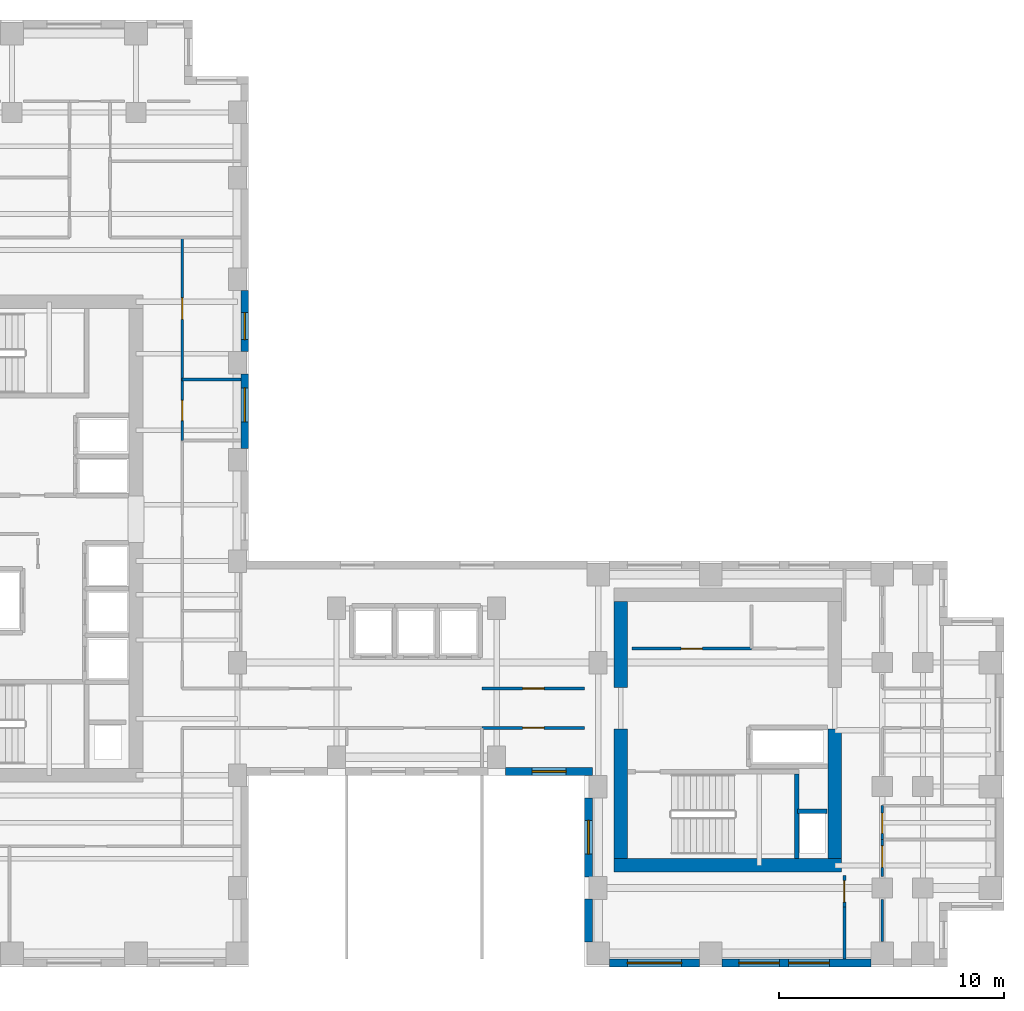
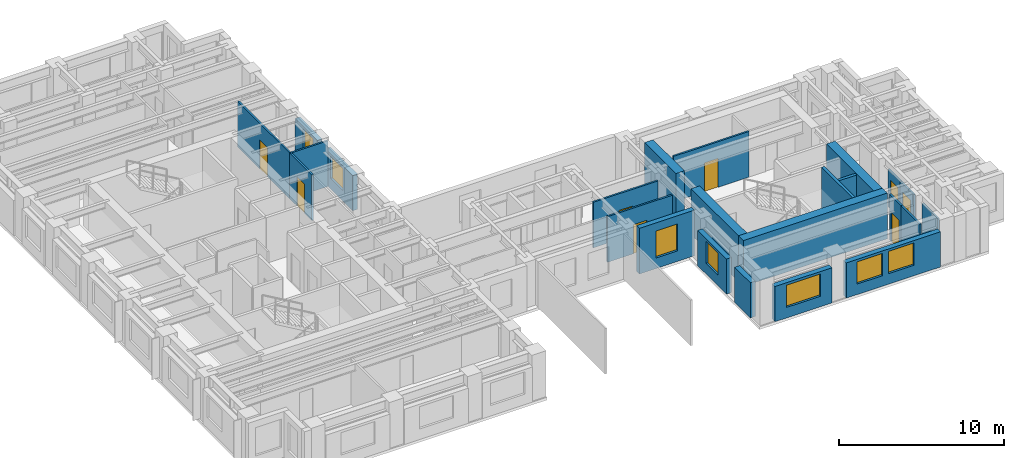
# One storey, part 6 of 11: 24 walls, 8 doors, 7 windows, 15 openings.
"""IFC4 building model written with IfcOpenShell, lengths in metres."""

from ifc_helpers import new_model, si_unit, direction, frame, frame_2d, origin, place, context, subcontext, project, spatial, rectangle, extrude, source, transform, mapped, material, layer, layer_set, type_object, element, fill, save


model = new_model("IFC4")

# Units and contexts
model_context = context("Model", 3, precision=1e-05, world=origin(), true_north=direction((0.0, 1.0)))
body_context = subcontext(model_context, "Body", "Model", "MODEL_VIEW")
ifc_project = project(units=[si_unit("LENGTHUNIT", "METRE"), si_unit("AREAUNIT", "SQUARE_METRE"), si_unit("VOLUMEUNIT", "CUBIC_METRE"), si_unit("PLANEANGLEUNIT", "RADIAN"), si_unit("MASSUNIT", "GRAM", prefix="KILO")], contexts=[model_context])

# Site, building, storey
site_placement = place(None, origin())
site = spatial("IfcSite", under=ifc_project, at=site_placement, CompositionType="ELEMENT")
building_placement = place(site_placement, origin())
building = spatial("IfcBuilding", under=site, at=building_placement, Name="Kharzan Plaza Tower", CompositionType="ELEMENT")
storey_placement = place(building_placement, frame((0.0, 0.0, 186.300048828125)))
storey = spatial("IfcBuildingStorey", under=building, at=storey_placement, Name="L50", CompositionType="ELEMENT", Elevation=186.300048828125)

# Wall, opening, window
ifc_material_1 = material(Name="Concrete C40/50", Category="concrete")
ifc_layer_1 = layer(ifc_material_1, 0.35009765625)
ifc_layer_set_1 = layer_set([ifc_layer_1], Name="Concrete C40/50")
wall_type_1 = type_object("IfcWallType", Name="WL-EXT-MAS-Z3", PredefinedType="SOLIDWALL", material=ifc_layer_set_1)
wall_1_placement = place(storey_placement, frame((30.89794921875, 8.675048828125, 0.0), z_axis=(0.0, 0.0, 1.0), x_axis=(1.0, 0.0, 0.0)))
wall_1 = element("IfcWall", 1, at=wall_1_placement, inside=storey, type_object=wall_type_1, Name="L50 Masonry-Frame Exterior Wall 28", PredefinedType="SOLIDWALL", context=body_context, shape_type="SweptSolid", body=[
    extrude(rectangle(XDim=3.85205078125, YDim=0.35009765625, at=frame_2d((1.926025390625, 0.0))), origin(), (0.0, 0.0, 1.0), 3.385009765625),
])
opening_1_placement = place(wall_1_placement, frame((1.176025390625, 0.0, 0.780029296875)))
opening_1 = element("IfcOpeningElement", 2, at=opening_1_placement, cuts=wall_1, Name="Opening W5", PredefinedType="OPENING", context=body_context, shape_type="SweptSolid", body=[
    extrude(rectangle(XDim=1.5, YDim=2.0, at=frame_2d((0.75, 1.0))), frame((0.0, 0.18505859375, 0.0), z_axis=(0.0, -1.0, 0.0), x_axis=(1.0, 0.0, 0.0)), (0.0, 0.0, 1.0), 0.3701171875),
])
ifc_material_2 = material(Name="Low-E Double Glazing", Category="glass")
window_type_1 = type_object("IfcWindowType", Name="WN-SLT-1500x2000", PartitioningType="SINGLE_PANEL", PredefinedType="WINDOW", material=ifc_material_2)
shared_shape_1 = source(origin(), body_context, "Body", "SweptSolid", [
    extrude(rectangle(XDim=1.5, YDim=2.0, at=frame_2d((0.75, 1.0))), frame((0.0, 0.030029296875, 0.0), z_axis=(0.0, -1.0, 0.0), x_axis=(1.0, 0.0, 0.0)), (0.0, 0.0, 1.0), 0.06005859375),
])
window_1_placement = place(opening_1_placement, origin())
window_1 = element("IfcWindow", 3, at=window_1_placement, inside=storey, type_object=window_type_1, Name="L50 Recessed Solar-Control Window 28-1", OverallHeight=2.0, OverallWidth=1.5, PartitioningType="SINGLE_PANEL", PredefinedType="WINDOW", context=body_context, shape_type="MappedRepresentation", body=[
    mapped(shared_shape_1, transform((0.0, 0.0, 0.0), x_axis=(1.0, 0.0, 0.0), y_axis=(0.0, 1.0, 0.0), z_axis=(0.0, 0.0, 1.0))),
])
fill(opening_1, window_1)

wall_2_placement = place(storey_placement, frame((34.574951171875, 7.501953125, 0.0), z_axis=(0.0, 0.0, 1.0), x_axis=(0.0, -1.0, 0.0)))
wall_2 = element("IfcWall", 4, at=wall_2_placement, inside=storey, type_object=wall_type_1, Name="L50 Masonry-Frame Exterior Wall 29", PredefinedType="SOLIDWALL", context=body_context, shape_type="SweptSolid", body=[
    extrude(rectangle(XDim=3.50390625, YDim=0.35009765625, at=frame_2d((1.751953125, 0.0))), origin(), (0.0, 0.0, 1.0), 2.612060546875),
])
opening_2_placement = place(wall_2_placement, frame((1.001953125, 0.0, 0.780029296875)))
opening_2 = element("IfcOpeningElement", 5, at=opening_2_placement, cuts=wall_2, Name="Opening W5", PredefinedType="OPENING", context=body_context, shape_type="SweptSolid", body=[
    extrude(rectangle(XDim=1.5, YDim=1.652099609375, at=frame_2d((0.75, 0.826171875))), frame((0.0, 0.18505859375, 0.0), z_axis=(0.0, -1.0, 0.0), x_axis=(1.0, 0.0, 0.0)), (0.0, 0.0, 1.0), 0.3701171875),
])
shared_shape_2 = source(origin(), body_context, "Body", "SweptSolid", [
    extrude(rectangle(XDim=1.5, YDim=1.652099609375, at=frame_2d((0.75, 0.826171875))), frame((0.0, 0.030029296875, 0.0), z_axis=(0.0, -1.0, 0.0), x_axis=(1.0, 0.0, 0.0)), (0.0, 0.0, 1.0), 0.06005859375),
])
window_2_placement = place(opening_2_placement, origin())
window_2 = element("IfcWindow", 6, at=window_2_placement, inside=storey, type_object=window_type_1, Name="L50 Recessed Solar-Control Window 29-1", OverallHeight=1.652099609375, OverallWidth=1.5, PartitioningType="SINGLE_PANEL", PredefinedType="WINDOW", context=body_context, shape_type="MappedRepresentation", body=[
    mapped(shared_shape_2, transform((0.0, 0.0, 0.0), x_axis=(1.0, 0.0, 0.0), y_axis=(0.0, 1.0, 0.0), z_axis=(0.0, 0.0, 1.0))),
])
fill(opening_2, window_2)

wall_3_placement = place(storey_placement, frame((35.498046875, 0.175048828125, 0.0), z_axis=(0.0, 0.0, 1.0), x_axis=(1.0, 0.0, 0.0)))
wall_3 = element("IfcWall", 7, at=wall_3_placement, inside=storey, type_object=wall_type_1, Name="L50 Masonry-Frame Exterior Wall 31", PredefinedType="SOLIDWALL", context=body_context, shape_type="SweptSolid", body=[
    extrude(rectangle(XDim=4.00390625, YDim=0.35009765625, at=frame_2d((2.001953125, 0.0))), origin(), (0.0, 0.0, 1.0), 2.612060546875),
])
opening_3_placement = place(wall_3_placement, frame((0.802001953125, 0.0, 0.780029296875)))
opening_3 = element("IfcOpeningElement", 8, at=opening_3_placement, cuts=wall_3, Name="Opening W2", PredefinedType="OPENING", context=body_context, shape_type="SweptSolid", body=[
    extrude(rectangle(XDim=2.39990234375, YDim=1.652099609375, at=frame_2d((1.199951171875, 0.826171875))), frame((0.0, 0.18505859375, 0.0), z_axis=(0.0, -1.0, 0.0), x_axis=(1.0, 0.0, 0.0)), (0.0, 0.0, 1.0), 0.3701171875),
])
window_type_2 = type_object("IfcWindowType", Name="WN-REC-2400x2100", PartitioningType="SINGLE_PANEL", PredefinedType="WINDOW", material=ifc_material_2)
shared_shape_3 = source(origin(), body_context, "Body", "SweptSolid", [
    extrude(rectangle(XDim=2.39990234375, YDim=1.652099609375, at=frame_2d((1.199951171875, 0.826171875))), frame((0.0, 0.030029296875, 0.0), z_axis=(0.0, -1.0, 0.0), x_axis=(1.0, 0.0, 0.0)), (0.0, 0.0, 1.0), 0.06005859375),
])
window_3_placement = place(opening_3_placement, origin())
window_3 = element("IfcWindow", 9, at=window_3_placement, inside=storey, type_object=window_type_2, Name="L50 Wide Recessed Solar-Control Window 31-1", OverallHeight=1.652099609375, OverallWidth=2.39990234375, PartitioningType="SINGLE_PANEL", PredefinedType="WINDOW", context=body_context, shape_type="MappedRepresentation", body=[
    mapped(shared_shape_3, transform((0.0, 0.0, 0.0), x_axis=(1.0, 0.0, 0.0), y_axis=(0.0, 1.0, 0.0), z_axis=(0.0, 0.0, 1.0))),
])
fill(opening_3, window_3)

# Wall, openings, windows
wall_4_placement = place(storey_placement, frame((40.498046875, 0.175048828125, 0.0), z_axis=(0.0, 0.0, 1.0), x_axis=(1.0, 0.0, 0.0)))
wall_4 = element("IfcWall", 10, at=wall_4_placement, inside=storey, type_object=wall_type_1, Name="L50 Masonry-Frame Exterior Wall 32", PredefinedType="SOLIDWALL", context=body_context, shape_type="SweptSolid", body=[
    extrude(rectangle(XDim=6.60400390625, YDim=0.35009765625, at=frame_2d((3.302001953125, 0.0))), origin(), (0.0, 0.0, 1.0), 2.612060546875),
])
opening_4_placement = place(wall_4_placement, frame((0.7373046875, 0.0, 0.780029296875)))
opening_4 = element("IfcOpeningElement", 11, at=opening_4_placement, cuts=wall_4, Name="Opening W1", PredefinedType="OPENING", context=body_context, shape_type="SweptSolid", body=[
    extrude(rectangle(XDim=1.800048828125, YDim=1.652099609375, at=frame_2d((0.89990234375, 0.826171875))), frame((0.0, 0.18505859375, 0.0), z_axis=(0.0, -1.0, 0.0), x_axis=(1.0, 0.0, 0.0)), (0.0, 0.0, 1.0), 0.3701171875),
])
opening_5_placement = place(wall_4_placement, frame((2.95458984375, 0.0, 0.780029296875)))
opening_5 = element("IfcOpeningElement", 12, at=opening_5_placement, cuts=wall_4, Name="Opening W1", PredefinedType="OPENING", context=body_context, shape_type="SweptSolid", body=[
    extrude(rectangle(XDim=1.800048828125, YDim=1.652099609375, at=frame_2d((0.89990234375, 0.826171875))), frame((0.0, 0.18505859375, 0.0), z_axis=(0.0, -1.0, 0.0), x_axis=(1.0, 0.0, 0.0)), (0.0, 0.0, 1.0), 0.3701171875),
])
window_type_3 = type_object("IfcWindowType", Name="WN-REC-1800x2100", PartitioningType="SINGLE_PANEL", PredefinedType="WINDOW", material=ifc_material_2)
shared_shape_4 = source(origin(), body_context, "Body", "SweptSolid", [
    extrude(rectangle(XDim=1.800048828125, YDim=1.652099609375, at=frame_2d((0.89990234375, 0.826171875))), frame((0.0, 0.030029296875, 0.0), z_axis=(0.0, -1.0, 0.0), x_axis=(1.0, 0.0, 0.0)), (0.0, 0.0, 1.0), 0.06005859375),
])
window_4_placement = place(opening_4_placement, origin())
window_4 = element("IfcWindow", 13, at=window_4_placement, inside=storey, type_object=window_type_3, Name="L50 Recessed Solar-Control Window 32-1", OverallHeight=1.652099609375, OverallWidth=1.800048828125, PartitioningType="SINGLE_PANEL", PredefinedType="WINDOW", context=body_context, shape_type="MappedRepresentation", body=[
    mapped(shared_shape_4, transform((0.0, 0.0, 0.0), x_axis=(1.0, 0.0, 0.0), y_axis=(0.0, 1.0, 0.0), z_axis=(0.0, 0.0, 1.0))),
])
fill(opening_4, window_4)
window_5_placement = place(opening_5_placement, origin())
window_5 = element("IfcWindow", 14, at=window_5_placement, inside=storey, type_object=window_type_3, Name="L50 Recessed Solar-Control Window 32-2", OverallHeight=1.652099609375, OverallWidth=1.800048828125, PartitioningType="SINGLE_PANEL", PredefinedType="WINDOW", context=body_context, shape_type="MappedRepresentation", body=[
    mapped(shared_shape_4, transform((0.0, 0.0, 0.0), x_axis=(1.0, 0.0, 0.0), y_axis=(0.0, 1.0, 0.0), z_axis=(0.0, 0.0, 1.0))),
])
fill(opening_5, window_5)

# Wall, opening, window
wall_5_placement = place(storey_placement, frame((19.324951171875, 22.998046875, 0.0), z_axis=(0.0, 0.0, 1.0), x_axis=(0.0, 1.0, 0.0)))
wall_5 = element("IfcWall", 15, at=wall_5_placement, inside=storey, type_object=wall_type_1, Name="L50 Masonry-Frame Exterior Wall 48", PredefinedType="SOLIDWALL", context=body_context, shape_type="SweptSolid", body=[
    extrude(rectangle(XDim=3.303955078125, YDim=0.35009765625, at=frame_2d((1.65185546875, 0.0))), origin(), (0.0, 0.0, 1.0), 2.612060546875),
])
opening_6_placement = place(wall_5_placement, frame((1.180419921875, 0.0, 0.780029296875)))
opening_6 = element("IfcOpeningElement", 16, at=opening_6_placement, cuts=wall_5, Name="Opening W5", PredefinedType="OPENING", context=body_context, shape_type="SweptSolid", body=[
    extrude(rectangle(XDim=1.5, YDim=1.652099609375, at=frame_2d((0.75, 0.826171875))), frame((0.0, 0.18505859375, 0.0), z_axis=(0.0, -1.0, 0.0), x_axis=(1.0, 0.0, 0.0)), (0.0, 0.0, 1.0), 0.3701171875),
])
window_6_placement = place(opening_6_placement, origin())
window_6 = element("IfcWindow", 17, at=window_6_placement, inside=storey, type_object=window_type_1, Name="L50 Recessed Solar-Control Window 48-1", OverallHeight=1.652099609375, OverallWidth=1.5, PartitioningType="SINGLE_PANEL", PredefinedType="WINDOW", context=body_context, shape_type="MappedRepresentation", body=[
    mapped(shared_shape_2, transform((0.0, 0.0, 0.0), x_axis=(1.0, 0.0, 0.0), y_axis=(0.0, 1.0, 0.0), z_axis=(0.0, 0.0, 1.0))),
])
fill(opening_6, window_6)

wall_6_placement = place(storey_placement, frame((19.324951171875, 27.298095703125, 0.0), z_axis=(0.0, 0.0, 1.0), x_axis=(0.0, 1.0, 0.0)))
wall_6 = element("IfcWall", 18, at=wall_6_placement, inside=storey, type_object=wall_type_1, Name="L50 Masonry-Frame Exterior Wall 49", PredefinedType="SOLIDWALL", context=body_context, shape_type="SweptSolid", body=[
    extrude(rectangle(XDim=2.703857421875, YDim=0.35009765625, at=frame_2d((1.35205078125, 0.0))), origin(), (0.0, 0.0, 1.0), 2.612060546875),
])
opening_7_placement = place(wall_6_placement, frame((0.523681640625, 0.0, 0.780029296875)))
opening_7 = element("IfcOpeningElement", 19, at=opening_7_placement, cuts=wall_6, Name="Opening W3", PredefinedType="OPENING", context=body_context, shape_type="SweptSolid", body=[
    extrude(rectangle(XDim=1.199951171875, YDim=1.652099609375, at=frame_2d((0.60009765625, 0.826171875))), frame((0.0, 0.18505859375, 0.0), z_axis=(0.0, -1.0, 0.0), x_axis=(1.0, 0.0, 0.0)), (0.0, 0.0, 1.0), 0.3701171875),
])
window_type_4 = type_object("IfcWindowType", Name="WN-REC-1200x2100", PartitioningType="SINGLE_PANEL", PredefinedType="WINDOW", material=ifc_material_2)
shared_shape_5 = source(origin(), body_context, "Body", "SweptSolid", [
    extrude(rectangle(XDim=1.199951171875, YDim=1.652099609375, at=frame_2d((0.60009765625, 0.826171875))), frame((0.0, 0.030029296875, 0.0), z_axis=(0.0, -1.0, 0.0), x_axis=(1.0, 0.0, 0.0)), (0.0, 0.0, 1.0), 0.06005859375),
])
window_7_placement = place(opening_7_placement, origin())
window_7 = element("IfcWindow", 20, at=window_7_placement, inside=storey, type_object=window_type_4, Name="L50 Recessed Solar-Control Window 49-1", OverallHeight=1.652099609375, OverallWidth=1.199951171875, PartitioningType="SINGLE_PANEL", PredefinedType="WINDOW", context=body_context, shape_type="MappedRepresentation", body=[
    mapped(shared_shape_5, transform((0.0, 0.0, 0.0), x_axis=(1.0, 0.0, 0.0), y_axis=(0.0, 1.0, 0.0), z_axis=(0.0, 0.0, 1.0))),
])
fill(opening_7, window_7)

# Wall, opening, door
ifc_material_3 = material(Name="Fire-Rated Gypsum Board Partition", Category="gypsum")
ifc_layer_2 = layer(ifc_material_3, 0.125)
ifc_layer_set_2 = layer_set([ifc_layer_2], Name="Fire-Rated Gypsum Board Partition")
wall_type_2 = type_object("IfcWallType", Name="WL-INT-PART-125", PredefinedType="PARTITIONING", material=ifc_layer_set_2)
wall_7_placement = place(storey_placement, frame((36.5, 14.1201171875, 0.0), z_axis=(0.0, 0.0, 1.0), x_axis=(1.0, 0.0, 0.0)))
wall_7 = element("IfcWall", 21, at=wall_7_placement, inside=storey, type_object=wall_type_2, Name="L50 Interior Partition CB-RBLSA", PredefinedType="PARTITIONING", context=body_context, shape_type="SweptSolid", body=[
    extrude(rectangle(XDim=5.300048828125, YDim=0.125, at=frame_2d((2.64990234375, 0.0))), origin(), (0.0, 0.0, 1.0), 3.385009765625),
])
opening_8_placement = place(wall_7_placement, frame((2.175048828125, 0.0, 0.0)))
opening_8 = element("IfcOpeningElement", 22, at=opening_8_placement, cuts=wall_7, Name="Opening OD1", PredefinedType="OPENING", context=body_context, shape_type="SweptSolid", body=[
    extrude(rectangle(XDim=0.949951171875, YDim=2.14990234375, at=frame_2d((0.47509765625, 1.074951171875))), frame((0.0, 0.072509765625, 0.0), z_axis=(0.0, -1.0, 0.0), x_axis=(1.0, 0.0, 0.0)), (0.0, 0.0, 1.0), 0.14501953125),
])
ifc_material_4 = material(Name="Acoustic Solid-Core Stained Oak", Category="timber")
door_type_1 = type_object("IfcDoorType", Name="DR-OFF-SINGLE", OperationType="NOTDEFINED", PredefinedType="DOOR", material=ifc_material_4)
shared_shape_6 = source(origin(), body_context, "Body", "SweptSolid", [
    extrude(rectangle(XDim=0.949951171875, YDim=2.14990234375, at=frame_2d((0.47509765625, 1.074951171875))), frame((0.0, 0.02490234375, 0.0), z_axis=(0.0, -1.0, 0.0), x_axis=(1.0, 0.0, 0.0)), (0.0, 0.0, 1.0), 0.050048828125),
])
door_1_placement = place(opening_8_placement, origin())
door_1 = element("IfcDoor", 23, at=door_1_placement, inside=storey, type_object=door_type_1, Name="L50 Records Room Door", OperationType="SINGLE_SWING_LEFT", OverallHeight=2.14990234375, OverallWidth=0.949951171875, PredefinedType="DOOR", context=body_context, shape_type="MappedRepresentation", body=[
    mapped(shared_shape_6, transform((0.0, 0.0, 0.0), x_axis=(1.0, 0.0, 0.0), y_axis=(0.0, 1.0, 0.0), z_axis=(0.0, 0.0, 1.0))),
])
fill(opening_8, door_1)

wall_8_placement = place(storey_placement, frame((16.550048828125, 26.050048828125, 0.0), z_axis=(0.0, 0.0, 1.0), x_axis=(0.0, 1.0, 0.0)))
wall_8 = element("IfcWall", 24, at=wall_8_placement, inside=storey, type_object=wall_type_2, Name="L50 Interior Partition SH-AEWN3", PredefinedType="PARTITIONING", context=body_context, shape_type="SweptSolid", body=[
    extrude(rectangle(XDim=6.300048828125, YDim=0.125, at=frame_2d((3.14990234375, 0.0))), origin(), (0.0, 0.0, 1.0), 3.385009765625),
])
opening_9_placement = place(wall_8_placement, frame((2.675048828125, 0.0, 0.0)))
opening_9 = element("IfcOpeningElement", 25, at=opening_9_placement, cuts=wall_8, Name="Opening OD1", PredefinedType="OPENING", context=body_context, shape_type="SweptSolid", body=[
    extrude(rectangle(XDim=0.949951171875, YDim=2.14990234375, at=frame_2d((0.47509765625, 1.074951171875))), frame((0.0, 0.072509765625, 0.0), z_axis=(0.0, -1.0, 0.0), x_axis=(1.0, 0.0, 0.0)), (0.0, 0.0, 1.0), 0.14501953125),
])
door_2_placement = place(opening_9_placement, origin())
door_2 = element("IfcDoor", 26, at=door_2_placement, inside=storey, type_object=door_type_1, Name="L50 Staff Tea Point Door", OperationType="SINGLE_SWING_RIGHT", OverallHeight=2.14990234375, OverallWidth=0.949951171875, PredefinedType="DOOR", context=body_context, shape_type="MappedRepresentation", body=[
    mapped(shared_shape_6, transform((0.0, 0.0, 0.0), x_axis=(1.0, 0.0, 0.0), y_axis=(0.0, 1.0, 0.0), z_axis=(0.0, 0.0, 1.0))),
])
fill(opening_9, door_2)

wall_9_placement = place(storey_placement, frame((16.550048828125, 23.35009765625, 0.0), z_axis=(0.0, 0.0, 1.0), x_axis=(0.0, 1.0, 0.0)))
wall_9 = element("IfcWall", 27, at=wall_9_placement, inside=storey, type_object=wall_type_2, Name="L50 Interior Partition SH-AEWW", PredefinedType="PARTITIONING", context=body_context, shape_type="SweptSolid", body=[
    extrude(rectangle(XDim=2.699951171875, YDim=0.125, at=frame_2d((1.35009765625, 0.0))), origin(), (0.0, 0.0, 1.0), 3.385009765625),
])
opening_10_placement = place(wall_9_placement, frame((0.875, 0.0, 0.0)))
opening_10 = element("IfcOpeningElement", 28, at=opening_10_placement, cuts=wall_9, Name="Opening WD1", PredefinedType="OPENING", context=body_context, shape_type="SweptSolid", body=[
    extrude(rectangle(XDim=0.89990234375, YDim=2.14990234375, at=frame_2d((0.449951171875, 1.074951171875))), frame((0.0, 0.072509765625, 0.0), z_axis=(0.0, -1.0, 0.0), x_axis=(1.0, 0.0, 0.0)), (0.0, 0.0, 1.0), 0.14501953125),
])
ifc_material_5 = material(Name="Moisture-Resistant Fire-Rated Laminate", Category="timber")
door_type_2 = type_object("IfcDoorType", Name="DR-WC-900", OperationType="NOTDEFINED", PredefinedType="DOOR", material=ifc_material_5)
shared_shape_7 = source(origin(), body_context, "Body", "SweptSolid", [
    extrude(rectangle(XDim=0.89990234375, YDim=2.14990234375, at=frame_2d((0.449951171875, 1.074951171875))), frame((0.0, 0.02490234375, 0.0), z_axis=(0.0, -1.0, 0.0), x_axis=(1.0, 0.0, 0.0)), (0.0, 0.0, 1.0), 0.050048828125),
])
door_3_placement = place(opening_10_placement, origin())
door_3 = element("IfcDoor", 29, at=door_3_placement, inside=storey, type_object=door_type_2, Name="L50 Wing A Washroom Door", OperationType="SINGLE_SWING_LEFT", OverallHeight=2.14990234375, OverallWidth=0.89990234375, PredefinedType="DOOR", context=body_context, shape_type="MappedRepresentation", body=[
    mapped(shared_shape_7, transform((0.0, 0.0, 0.0), x_axis=(1.0, 0.0, 0.0), y_axis=(0.0, 1.0, 0.0), z_axis=(0.0, 0.0, 1.0))),
])
fill(opening_10, door_3)

wall_10_placement = place(storey_placement, frame((47.60009765625, 4.02001953125, 0.0), z_axis=(0.0, 0.0, 1.0), x_axis=(0.0, 1.0, 0.0)))
wall_10 = element("IfcWall", 30, at=wall_10_placement, inside=storey, type_object=wall_type_2, Name="L50 Interior Partition SH-B2W0", PredefinedType="PARTITIONING", context=body_context, shape_type="SweptSolid", body=[
    extrude(rectangle(XDim=1.6298828125, YDim=0.125, at=frame_2d((0.81494140625, 0.0))), origin(), (0.0, 0.0, 1.0), 2.77294921875),
])
opening_11_placement = place(wall_10_placement, frame((0.393310546875, 0.0, 0.0)))
opening_11 = element("IfcOpeningElement", 31, at=opening_11_placement, cuts=wall_10, Name="Opening OD1", PredefinedType="OPENING", context=body_context, shape_type="SweptSolid", body=[
    extrude(rectangle(XDim=0.949951171875, YDim=2.14990234375, at=frame_2d((0.47509765625, 1.074951171875))), frame((0.0, 0.072509765625, 0.0), z_axis=(0.0, -1.0, 0.0), x_axis=(1.0, 0.0, 0.0)), (0.0, 0.0, 1.0), 0.14501953125),
])
door_4_placement = place(opening_11_placement, origin())
door_4 = element("IfcDoor", 32, at=door_4_placement, inside=storey, type_object=door_type_1, Name="L50 Wing B South Office Door", OperationType="SINGLE_SWING_RIGHT", OverallHeight=2.14990234375, OverallWidth=0.949951171875, PredefinedType="DOOR", context=body_context, shape_type="MappedRepresentation", body=[
    mapped(shared_shape_6, transform((0.0, 0.0, 0.0), x_axis=(1.0, 0.0, 0.0), y_axis=(0.0, 1.0, 0.0), z_axis=(0.0, 0.0, 1.0))),
])
fill(opening_11, door_4)

wall_11_placement = place(storey_placement, frame((47.60009765625, 5.64990234375, 0.0), z_axis=(0.0, 0.0, 1.0), x_axis=(0.0, 1.0, 0.0)))
wall_11 = element("IfcWall", 33, at=wall_11_placement, inside=storey, type_object=wall_type_2, Name="L50 Interior Partition SH-B2WC", PredefinedType="PARTITIONING", context=body_context, shape_type="SweptSolid", body=[
    extrude(rectangle(XDim=1.5, YDim=0.125, at=frame_2d((0.75, 0.0))), origin(), (0.0, 0.0, 1.0), 2.77294921875),
])
opening_12_placement = place(wall_11_placement, frame((0.27490234375, 0.0, 0.0)))
opening_12 = element("IfcOpeningElement", 34, at=opening_12_placement, cuts=wall_11, Name="Opening WD1", PredefinedType="OPENING", context=body_context, shape_type="SweptSolid", body=[
    extrude(rectangle(XDim=0.89990234375, YDim=2.14990234375, at=frame_2d((0.449951171875, 1.074951171875))), frame((0.0, 0.072509765625, 0.0), z_axis=(0.0, -1.0, 0.0), x_axis=(1.0, 0.0, 0.0)), (0.0, 0.0, 1.0), 0.14501953125),
])
door_5_placement = place(opening_12_placement, origin())
door_5 = element("IfcDoor", 35, at=door_5_placement, inside=storey, type_object=door_type_2, Name="L50 Wing B Washroom Door", OperationType="SINGLE_SWING_LEFT", OverallHeight=2.14990234375, OverallWidth=0.89990234375, PredefinedType="DOOR", context=body_context, shape_type="MappedRepresentation", body=[
    mapped(shared_shape_7, transform((0.0, 0.0, 0.0), x_axis=(1.0, 0.0, 0.0), y_axis=(0.0, 1.0, 0.0), z_axis=(0.0, 0.0, 1.0))),
])
fill(opening_12, door_5)

wall_12_placement = place(storey_placement, frame((45.919921875, 2.64990234375, 0.0), z_axis=(0.0, 0.0, 1.0), x_axis=(0.0, 1.0, 0.0)))
wall_12 = element("IfcWall", 36, at=wall_12_placement, inside=storey, type_object=wall_type_2, Name="L50 Interior Partition SH-RBSE", PredefinedType="PARTITIONING", context=body_context, shape_type="SweptSolid", body=[
    extrude(rectangle(XDim=1.400146484375, YDim=0.125, at=frame_2d((0.7001953125, 0.0))), origin(), (0.0, 0.0, 1.0), 3.385009765625),
])
opening_13_placement = place(wall_12_placement, frame((0.22509765625, 0.0, 0.0)))
opening_13 = element("IfcOpeningElement", 37, at=opening_13_placement, cuts=wall_12, Name="Opening OD1", PredefinedType="OPENING", context=body_context, shape_type="SweptSolid", body=[
    extrude(rectangle(XDim=0.949951171875, YDim=2.14990234375, at=frame_2d((0.47509765625, 1.074951171875))), frame((0.0, 0.072509765625, 0.0), z_axis=(0.0, -1.0, 0.0), x_axis=(1.0, 0.0, 0.0)), (0.0, 0.0, 1.0), 0.14501953125),
])
door_6_placement = place(opening_13_placement, origin())
door_6 = element("IfcDoor", 38, at=door_6_placement, inside=storey, type_object=door_type_1, Name="L50 South-East Corner Office Door", OperationType="SINGLE_SWING_RIGHT", OverallHeight=2.14990234375, OverallWidth=0.949951171875, PredefinedType="DOOR", context=body_context, shape_type="MappedRepresentation", body=[
    mapped(shared_shape_6, transform((0.0, 0.0, 0.0), x_axis=(1.0, 0.0, 0.0), y_axis=(0.0, 1.0, 0.0), z_axis=(0.0, 0.0, 1.0))),
])
fill(opening_13, door_6)

wall_13_placement = place(storey_placement, frame((29.85009765625, 12.35009765625, 0.0), z_axis=(0.0, 0.0, 1.0), x_axis=(1.0, 0.0, 0.0)))
wall_13 = element("IfcWall", 39, at=wall_13_placement, inside=storey, type_object=wall_type_2, Name="L50 Interior Partition SH-SPNE1", PredefinedType="PARTITIONING", context=body_context, shape_type="SweptSolid", body=[
    extrude(rectangle(XDim=4.5498046875, YDim=0.125, at=frame_2d((2.27490234375, 0.0))), origin(), (0.0, 0.0, 1.0), 3.385009765625),
])
opening_14_placement = place(wall_13_placement, frame((1.800048828125, 0.0, 0.0)))
opening_14 = element("IfcOpeningElement", 40, at=opening_14_placement, cuts=wall_13, Name="Opening OD1", PredefinedType="OPENING", context=body_context, shape_type="SweptSolid", body=[
    extrude(rectangle(XDim=0.949951171875, YDim=2.14990234375, at=frame_2d((0.47509765625, 1.074951171875))), frame((0.0, 0.072509765625, 0.0), z_axis=(0.0, -1.0, 0.0), x_axis=(1.0, 0.0, 0.0)), (0.0, 0.0, 1.0), 0.14501953125),
])
door_7_placement = place(opening_14_placement, origin())
door_7 = element("IfcDoor", 41, at=door_7_placement, inside=storey, type_object=door_type_1, Name="L50 North-East Spine Door", OperationType="SINGLE_SWING_LEFT", OverallHeight=2.14990234375, OverallWidth=0.949951171875, PredefinedType="DOOR", context=body_context, shape_type="MappedRepresentation", body=[
    mapped(shared_shape_6, transform((0.0, 0.0, 0.0), x_axis=(1.0, 0.0, 0.0), y_axis=(0.0, 1.0, 0.0), z_axis=(0.0, 0.0, 1.0))),
])
fill(opening_14, door_7)

wall_14_placement = place(storey_placement, frame((29.85009765625, 10.60009765625, 0.0), z_axis=(0.0, 0.0, 1.0), x_axis=(1.0, 0.0, 0.0)))
wall_14 = element("IfcWall", 42, at=wall_14_placement, inside=storey, type_object=wall_type_2, Name="L50 Interior Partition SH-SPS3", PredefinedType="PARTITIONING", context=body_context, shape_type="SweptSolid", body=[
    extrude(rectangle(XDim=4.5498046875, YDim=0.125, at=frame_2d((2.27490234375, 0.0))), origin(), (0.0, 0.0, 1.0), 3.385009765625),
])
opening_15_placement = place(wall_14_placement, frame((1.800048828125, 0.0, 0.0)))
opening_15 = element("IfcOpeningElement", 43, at=opening_15_placement, cuts=wall_14, Name="Opening OD1", PredefinedType="OPENING", context=body_context, shape_type="SweptSolid", body=[
    extrude(rectangle(XDim=0.949951171875, YDim=2.14990234375, at=frame_2d((0.47509765625, 1.074951171875))), frame((0.0, 0.072509765625, 0.0), z_axis=(0.0, -1.0, 0.0), x_axis=(1.0, 0.0, 0.0)), (0.0, 0.0, 1.0), 0.14501953125),
])
door_8_placement = place(opening_15_placement, origin())
door_8 = element("IfcDoor", 44, at=door_8_placement, inside=storey, type_object=door_type_1, Name="L50 Spine Studio 3 Door", OperationType="SINGLE_SWING_LEFT", OverallHeight=2.14990234375, OverallWidth=0.949951171875, PredefinedType="DOOR", context=body_context, shape_type="MappedRepresentation", body=[
    mapped(shared_shape_6, transform((0.0, 0.0, 0.0), x_axis=(1.0, 0.0, 0.0), y_axis=(0.0, 1.0, 0.0), z_axis=(0.0, 0.0, 1.0))),
])
fill(opening_15, door_8)

# Walls
ifc_material_6 = material(Name="Concrete C50/60", Category="concrete")
ifc_layer_3 = layer(ifc_material_6, 0.60009765625)
ifc_layer_set_3 = layer_set([ifc_layer_3], Name="Concrete C50/60")
wall_type_3 = type_object("IfcWallType", Name="WL-CORE-600", PredefinedType="SHEAR", material=ifc_layer_set_3)
shared_shape_8 = source(origin(), body_context, "Body", "SweptSolid", [
    extrude(rectangle(XDim=5.75, YDim=0.60009765625, at=frame_2d((2.875, 0.0))), origin(), (0.0, 0.0, 1.0), 3.39990234375),
])
for number, where, z_axis, x_axis, name in (
    (45, (45.5, 4.800048828125, 0.0), (0.0, 0.0, 1.0), (0.0, 1.0, 0.0), "L50 CORE-B east shear pier 1"),
    (46, (36.0, 4.800048828125, 0.0), (0.0, 0.0, 1.0), (0.0, 1.0, 0.0), "L50 CORE-B west shear pier 1"),
):
    element("IfcWall", number, at=place(storey_placement, frame(where, z_axis=z_axis, x_axis=x_axis)), inside=storey, type_object=wall_type_3, Name=name, PredefinedType="SHEAR", context=body_context, shape_type="MappedRepresentation", body=[
        mapped(shared_shape_8, transform((0.0, 0.0, 0.0), x_axis=(1.0, 0.0, 0.0), y_axis=(0.0, 1.0, 0.0), z_axis=(0.0, 0.0, 1.0))),
    ])
shared_shape_9 = source(origin(), body_context, "Body", "SweptSolid", [
    extrude(rectangle(XDim=3.800048828125, YDim=0.60009765625, at=frame_2d((1.89990234375, 0.0))), origin(), (0.0, 0.0, 1.0), 3.39990234375),
])
wall_15_placement = place(storey_placement, frame((36.0, 12.39990234375, 0.0), z_axis=(0.0, 0.0, 1.0), x_axis=(0.0, 1.0, 0.0)))
element("IfcWall", 47, at=wall_15_placement, inside=storey, type_object=wall_type_3, Name="L50 CORE-B west shear pier 2", PredefinedType="SHEAR", context=body_context, shape_type="MappedRepresentation", body=[
    mapped(shared_shape_9, transform((0.0, 0.0, 0.0), x_axis=(1.0, 0.0, 0.0), y_axis=(0.0, 1.0, 0.0), z_axis=(0.0, 0.0, 1.0))),
])
shared_shape_10 = source(origin(), body_context, "Body", "SweptSolid", [
    extrude(rectangle(XDim=10.10009765625, YDim=0.60009765625, at=frame_2d((5.050048828125, 0.0))), origin(), (0.0, 0.0, 1.0), 3.39990234375),
])
wall_16_placement = place(storey_placement, frame((35.699951171875, 4.5, 0.0), z_axis=(0.0, 0.0, 1.0), x_axis=(1.0, 0.0, 0.0)))
element("IfcWall", 48, at=wall_16_placement, inside=storey, type_object=wall_type_3, Name="L50 CORE-B south RC shear wall", PredefinedType="SHEAR", context=body_context, shape_type="MappedRepresentation", body=[
    mapped(shared_shape_10, transform((0.0, 0.0, 0.0), x_axis=(1.0, 0.0, 0.0), y_axis=(0.0, 1.0, 0.0), z_axis=(0.0, 0.0, 1.0))),
])
shared_shape_11 = source(origin(), body_context, "Body", "SweptSolid", [
    extrude(rectangle(XDim=2.2978515625, YDim=0.125, at=frame_2d((1.14892578125, 0.0))), origin(), (0.0, 0.0, 1.0), 3.385009765625),
])
wall_17_placement = place(storey_placement, frame((45.919921875, 0.35205078125, 0.0), z_axis=(0.0, 0.0, 1.0), x_axis=(0.0, 1.0, 0.0)))
element("IfcWall", 49, at=wall_17_placement, inside=storey, type_object=wall_type_2, Name="L50 Interior Partition SH-RBSE0", PredefinedType="PARTITIONING", context=body_context, shape_type="MappedRepresentation", body=[
    mapped(shared_shape_11, transform((0.0, 0.0, 0.0), x_axis=(1.0, 0.0, 0.0), y_axis=(0.0, 1.0, 0.0), z_axis=(0.0, 0.0, 1.0))),
])
ifc_layer_4 = layer(ifc_material_1, 0.199951171875)
ifc_layer_set_4 = layer_set([ifc_layer_4], Name="Concrete C40/50")
wall_type_4 = type_object("IfcWallType", Name="WL-INT-SHAFT-200", PredefinedType="PARTITIONING", material=ifc_layer_set_4)
shared_shape_12 = source(origin(), body_context, "Body", "SweptSolid", [
    extrude(rectangle(XDim=1.2998046875, YDim=0.199951171875, at=frame_2d((0.64990234375, 0.0))), origin(), (0.0, 0.0, 1.0), 3.385009765625),
])
wall_18_placement = place(storey_placement, frame((43.85009765625, 6.89990234375, 0.0), z_axis=(0.0, 0.0, 1.0), x_axis=(1.0, 0.0, 0.0)))
element("IfcWall", 50, at=wall_18_placement, inside=storey, type_object=wall_type_4, Name="L50 Interior Partition CB-RSRB-N", PredefinedType="PARTITIONING", context=body_context, shape_type="MappedRepresentation", body=[
    mapped(shared_shape_12, transform((0.0, 0.0, 0.0), x_axis=(1.0, 0.0, 0.0), y_axis=(0.0, 1.0, 0.0), z_axis=(0.0, 0.0, 1.0))),
])
ifc_layer_5 = layer(ifc_material_6, 0.199951171875)
ifc_layer_set_5 = layer_set([ifc_layer_5], Name="Concrete C50/60")
wall_type_5 = type_object("IfcWallType", Name="WL-SHAFT-RC200", PredefinedType="SHEAR", material=ifc_layer_set_5)
shared_shape_13 = source(origin(), body_context, "Body", "SweptSolid", [
    extrude(rectangle(XDim=3.7529296875, YDim=0.199951171875, at=frame_2d((1.87646484375, 0.0))), origin(), (0.0, 0.0, 1.0), 3.39990234375),
])
wall_19_placement = place(storey_placement, frame((43.804931640625, 4.802001953125, 0.0), z_axis=(0.0, 0.0, 1.0), x_axis=(0.0, 1.0, 0.0)))
element("IfcWall", 51, at=wall_19_placement, inside=storey, type_object=wall_type_5, Name="L50 Stair ST-3 East RC Shaft Wall", PredefinedType="SHEAR", context=body_context, shape_type="MappedRepresentation", body=[
    mapped(shared_shape_13, transform((0.0, 0.0, 0.0), x_axis=(1.0, 0.0, 0.0), y_axis=(0.0, 1.0, 0.0), z_axis=(0.0, 0.0, 1.0))),
])
shared_shape_14 = source(origin(), body_context, "Body", "SweptSolid", [
    extrude(rectangle(XDim=1.904052734375, YDim=0.35009765625, at=frame_2d((0.9521484375, 0.0))), origin(), (0.0, 0.0, 1.0), 2.612060546875),
])
wall_20_placement = place(storey_placement, frame((34.574951171875, 3.001953125, 0.0), z_axis=(0.0, 0.0, 1.0), x_axis=(0.0, -1.0, 0.0)))
element("IfcWall", 52, at=wall_20_placement, inside=storey, type_object=wall_type_1, Name="L50 Masonry-Frame Exterior Wall 30", PredefinedType="SOLIDWALL", context=body_context, shape_type="MappedRepresentation", body=[
    mapped(shared_shape_14, transform((0.0, 0.0, 0.0), x_axis=(1.0, 0.0, 0.0), y_axis=(0.0, 1.0, 0.0), z_axis=(0.0, 0.0, 1.0))),
])
shared_shape_15 = source(origin(), body_context, "Body", "SweptSolid", [
    extrude(rectangle(XDim=2.597900390625, YDim=0.125, at=frame_2d((1.298828125, 0.0))), origin(), (0.0, 0.0, 1.0), 3.385009765625),
])
wall_21_placement = place(storey_placement, frame((16.550048828125, 26.050048828125, 0.0), z_axis=(0.0, 0.0, 1.0), x_axis=(1.0, 0.0, 0.0)))
element("IfcWall", 53, at=wall_21_placement, inside=storey, type_object=wall_type_2, Name="L50 Interior Partition SH-AEH-260", PredefinedType="PARTITIONING", context=body_context, shape_type="MappedRepresentation", body=[
    mapped(shared_shape_15, transform((0.0, 0.0, 0.0), x_axis=(1.0, 0.0, 0.0), y_axis=(0.0, 1.0, 0.0), z_axis=(0.0, 0.0, 1.0))),
])
shared_shape_16 = source(origin(), body_context, "Body", "SweptSolid", [
    extrude(rectangle(XDim=1.85986328125, YDim=0.125, at=frame_2d((0.929931640625, 0.0))), origin(), (0.0, 0.0, 1.0), 2.77294921875),
])
wall_22_placement = place(storey_placement, frame((47.60009765625, 1.1201171875, 0.0), z_axis=(0.0, 0.0, 1.0), x_axis=(0.0, 1.0, 0.0)))
element("IfcWall", 54, at=wall_22_placement, inside=storey, type_object=wall_type_2, Name="L50 Interior Partition SH-B2W0S", PredefinedType="PARTITIONING", context=body_context, shape_type="MappedRepresentation", body=[
    mapped(shared_shape_16, transform((0.0, 0.0, 0.0), x_axis=(1.0, 0.0, 0.0), y_axis=(0.0, 1.0, 0.0), z_axis=(0.0, 0.0, 1.0))),
])

save(model, "model.ifc")
